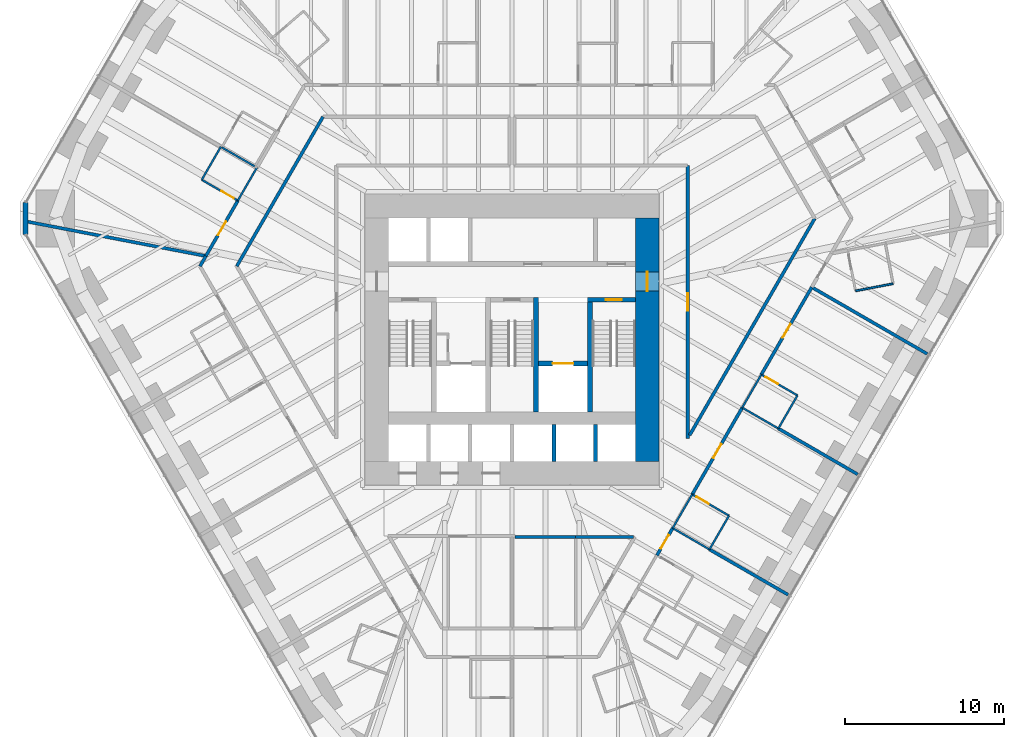
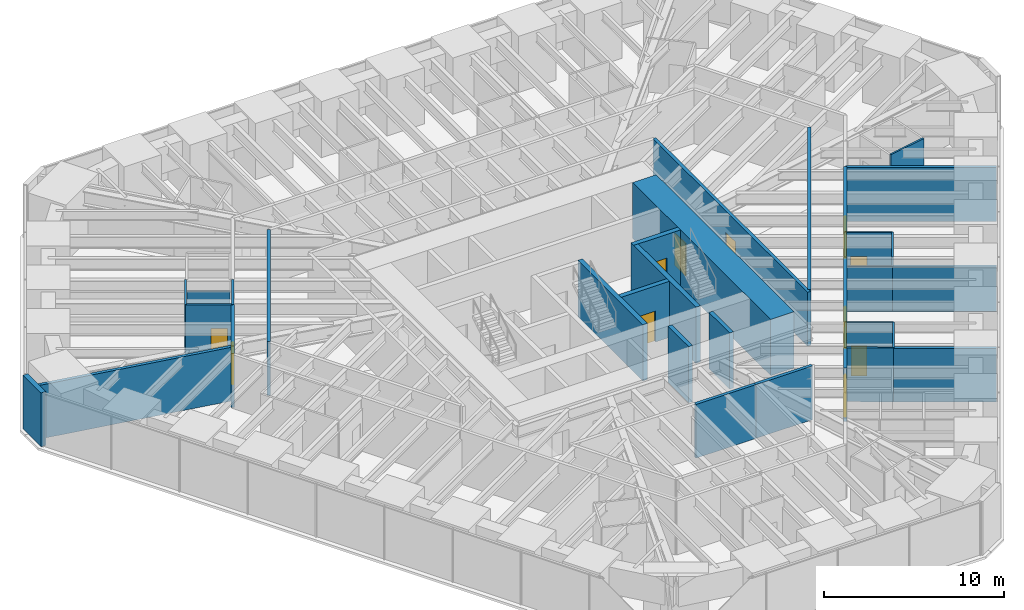
# One storey, part 13 of 17: 35 walls, 11 doors, 11 openings.
"""IFC4 building model written with IfcOpenShell, lengths in metres."""

from ifc_helpers import new_model, si_unit, direction, frame, frame_2d, origin, place, context, subcontext, project, spatial, rectangle, extrude, material, layer, layer_set, type_object, element, fill, save


model = new_model("IFC4")

# Units and contexts
model_context = context("Model", 3, precision=1e-05, world=origin(), true_north=direction((0.0, 1.0)))
body_context = subcontext(model_context, "Body", "Model", "MODEL_VIEW")
ifc_project = project(units=[si_unit("LENGTHUNIT", "METRE"), si_unit("AREAUNIT", "SQUARE_METRE"), si_unit("VOLUMEUNIT", "CUBIC_METRE"), si_unit("PLANEANGLEUNIT", "RADIAN"), si_unit("MASSUNIT", "GRAM", prefix="KILO")], contexts=[model_context])

# Site, building, storey
site_placement = place(None, origin())
site = spatial("IfcSite", under=ifc_project, at=site_placement, CompositionType="ELEMENT")
building_placement = place(site_placement, origin())
building = spatial("IfcBuilding", under=site, at=building_placement, Name="Sandreach Pilgrim Tower", CompositionType="ELEMENT")
storey_placement = place(building_placement, frame((0.0, 0.0, 38.199951171875)))
storey = spatial("IfcBuildingStorey", under=building, at=storey_placement, Name="L08", CompositionType="ELEMENT", Elevation=38.199951171875)

# Wall, opening, door
ifc_material_1 = material(Name="Moisture-resistant gypsum board on steel studs", Category="steel")
ifc_layer_1 = layer(ifc_material_1, 0.1201171875)
ifc_layer_set_1 = layer_set([ifc_layer_1], Name="Bathroom partition 120")
wall_type_1 = type_object("IfcWallType", Name="Bathroom partition 120", PredefinedType="PARTITIONING", material=ifc_layer_set_1)
wall_1_placement = place(storey_placement, frame((-19.5, 8.489990234375, 0.0), z_axis=(0.0, 0.0, 1.0), x_axis=(0.866114241029, -0.499846097802, 0.0)))
wall_1 = element("IfcWall", 1, at=wall_1_placement, inside=storey, type_object=wall_type_1, Name="Bathroom partition L08-009", PredefinedType="PARTITIONING", context=body_context, shape_type="SweptSolid", body=[
    extrude(rectangle(XDim=2.620849609375, YDim=0.1201171875, at=frame_2d((1.310546875, 0.0))), origin(), (0.0, 0.0, 1.0), 3.64013671875),
])
opening_1_placement = place(wall_1_placement, frame((1.4208984375, 0.0, 0.0)))
opening_1 = element("IfcOpeningElement", 2, at=opening_1_placement, cuts=wall_1, Name="Opening D09-18B", PredefinedType="OPENING", context=body_context, shape_type="SweptSolid", body=[
    extrude(rectangle(XDim=0.89990234375, YDim=2.030029296875, at=frame_2d((0.449951171875, 1.01513671875))), frame((0.0, 0.06005859375, 0.0), z_axis=(0.0, -1.0, 0.0), x_axis=(1.0, 0.0, 0.0)), (0.0, 0.0, 1.0), 0.1201171875),
])
ifc_material_2 = material(Name="Timber door, steel frame", Category="steel")
door_type_1 = type_object("IfcDoorType", Name="Bathroom door", OperationType="SINGLE_SWING_LEFT", PredefinedType="DOOR", material=ifc_material_2)
door_1_placement = place(opening_1_placement, origin())
door_1 = element("IfcDoor", 3, at=door_1_placement, inside=storey, type_object=door_type_1, Name="Door 0818B", OperationType="SINGLE_SWING_RIGHT", OverallHeight=2.030029296875, OverallWidth=0.89990234375, PredefinedType="DOOR", context=body_context, shape_type="SweptSolid", body=[
    extrude(rectangle(XDim=0.89990234375, YDim=2.030029296875, at=frame_2d((0.449951171875, 1.01513671875))), frame((0.0, 0.02490234375, 0.0), z_axis=(0.0, -1.0, 0.0), x_axis=(1.0, 0.0, 0.0)), (0.0, 0.0, 1.0), 0.050048828125),
])
fill(opening_1, door_1)

# Walls
wall_2_placement = place(storey_placement, frame((-18.300048828125, 10.570068359375, 0.0), z_axis=(0.0, 0.0, 1.0), x_axis=(-0.499693115345, -0.866202511239, 0.0)))
element("IfcWall", 4, at=wall_2_placement, inside=storey, type_object=wall_type_1, Name="Bathroom partition L08-013", PredefinedType="PARTITIONING", context=body_context, shape_type="SweptSolid", body=[
    extrude(rectangle(XDim=2.4013671875, YDim=0.1201171875, at=frame_2d((1.20068359375, 0.0))), origin(), (0.0, 0.0, 1.0), 3.64013671875),
])
wall_3_placement = place(storey_placement, frame((-18.239990234375, 10.530029296875, 0.0), z_axis=(0.0, 0.0, 1.0), x_axis=(0.866202511239, -0.499693115345, 0.0)))
element("IfcWall", 5, at=wall_3_placement, inside=storey, type_object=wall_type_1, Name="Bathroom partition L08-014", PredefinedType="PARTITIONING", context=body_context, shape_type="SweptSolid", body=[
    extrude(rectangle(XDim=2.4013671875, YDim=0.1201171875, at=frame_2d((1.20068359375, 0.0))), origin(), (0.0, 0.0, 1.0), 2.8603515625),
])
wall_4_placement = place(storey_placement, frame((-17.23388671875, 7.182373046875, 0.0), z_axis=(0.0, 0.0, 1.0), x_axis=(0.500719628902, 0.865609526999, 0.0)))
element("IfcWall", 6, at=wall_4_placement, inside=storey, type_object=wall_type_1, Name="Bathroom partition L08-018", PredefinedType="PARTITIONING", context=body_context, shape_type="SweptSolid", body=[
    extrude(rectangle(XDim=2.4013671875, YDim=0.1201171875, at=frame_2d((1.20068359375, 0.0))), origin(), (0.0, 0.0, 1.0), 3.64013671875),
])
wall_5_placement = place(storey_placement, frame((10.10009765625, -13.39990234375, 0.0), z_axis=(0.0, 0.0, 1.0), x_axis=(0.501856726365, 0.86495076519, 0.0)))
element("IfcWall", 7, at=wall_5_placement, inside=storey, type_object=wall_type_1, Name="Bathroom partition L08-101", PredefinedType="PARTITIONING", context=body_context, shape_type="SweptSolid", body=[
    extrude(rectangle(XDim=2.450927734375, YDim=0.1201171875, at=frame_2d((1.2255859375, 0.0))), origin(), (0.0, 0.0, 1.0), 3.64013671875),
])
wall_6_placement = place(storey_placement, frame((10.10009765625, -13.39990234375, 0.0), z_axis=(0.0, 0.0, 1.0), x_axis=(0.864966903181, -0.501828911485, 0.0)))
element("IfcWall", 8, at=wall_6_placement, inside=storey, type_object=wall_type_1, Name="Bathroom partition L08-102", PredefinedType="PARTITIONING", context=body_context, shape_type="SweptSolid", body=[
    extrude(rectangle(XDim=2.67041015625, YDim=0.1201171875, at=frame_2d((1.335205078125, 0.0))), origin(), (0.0, 0.0, 1.0), 3.64013671875),
])
wall_7_placement = place(storey_placement, frame((12.409912109375, -14.739990234375, 0.0), z_axis=(0.0, 0.0, 1.0), x_axis=(0.501813488763, 0.864975850817, 0.0)))
element("IfcWall", 9, at=wall_7_placement, inside=storey, type_object=wall_type_1, Name="Bathroom partition L08-111", PredefinedType="PARTITIONING", context=body_context, shape_type="SweptSolid", body=[
    extrude(rectangle(XDim=2.451171875, YDim=0.1201171875, at=frame_2d((1.2255859375, 0.0))), origin(), (0.0, 0.0, 1.0), 3.64013671875),
])

# Wall, opening, door
wall_8_placement = place(storey_placement, frame((13.639892578125, -12.6201171875, 0.0), z_axis=(0.0, 0.0, 1.0), x_axis=(-0.864966903181, 0.501828911485, 0.0)))
wall_8 = element("IfcWall", 10, at=wall_8_placement, inside=storey, type_object=wall_type_1, Name="Bathroom partition L08-116", PredefinedType="PARTITIONING", context=body_context, shape_type="SweptSolid", body=[
    extrude(rectangle(XDim=2.67041015625, YDim=0.1201171875, at=frame_2d((1.335205078125, 0.0))), origin(), (0.0, 0.0, 1.0), 3.64013671875),
])
opening_2_placement = place(wall_8_placement, frame((1.470458984375, 0.0, 0.0)))
opening_2 = element("IfcOpeningElement", 11, at=opening_2_placement, cuts=wall_8, Name="Opening D09-09B", PredefinedType="OPENING", context=body_context, shape_type="SweptSolid", body=[
    extrude(rectangle(XDim=0.89990234375, YDim=2.030029296875, at=frame_2d((0.449951171875, 1.01513671875))), frame((0.0, 0.06005859375, 0.0), z_axis=(0.0, -1.0, 0.0), x_axis=(1.0, 0.0, 0.0)), (0.0, 0.0, 1.0), 0.1201171875),
])
door_2_placement = place(opening_2_placement, origin())
door_2 = element("IfcDoor", 12, at=door_2_placement, inside=storey, type_object=door_type_1, Name="Door 0809B", OperationType="SINGLE_SWING_RIGHT", OverallHeight=2.030029296875, OverallWidth=0.89990234375, PredefinedType="DOOR", context=body_context, shape_type="SweptSolid", body=[
    extrude(rectangle(XDim=0.89990234375, YDim=2.030029296875, at=frame_2d((0.449951171875, 1.01513671875))), frame((0.0, 0.02490234375, 0.0), z_axis=(0.0, -1.0, 0.0), x_axis=(1.0, 0.0, 0.0)), (0.0, 0.0, 1.0), 0.050048828125),
])
fill(opening_2, door_2)

# Walls
wall_9_placement = place(storey_placement, frame((14.469970703125, -5.830078125, 0.0), z_axis=(0.0, 0.0, 1.0), x_axis=(0.499693115345, 0.866202511239, 0.0)))
element("IfcWall", 13, at=wall_9_placement, inside=storey, type_object=wall_type_1, Name="Bathroom partition L08-118", PredefinedType="PARTITIONING", context=body_context, shape_type="SweptSolid", body=[
    extrude(rectangle(XDim=2.4013671875, YDim=0.1201171875, at=frame_2d((1.20068359375, 0.0))), origin(), (0.0, 0.0, 1.0), 3.64013671875),
])
wall_10_placement = place(storey_placement, frame((14.469970703125, -5.830078125, 0.0), z_axis=(0.0, 0.0, 1.0), x_axis=(0.866010296064, -0.500026166427, 0.0)))
element("IfcWall", 14, at=wall_10_placement, inside=storey, type_object=wall_type_1, Name="Bathroom partition L08-119", PredefinedType="PARTITIONING", context=body_context, shape_type="SweptSolid", body=[
    extrude(rectangle(XDim=2.620849609375, YDim=0.1201171875, at=frame_2d((1.310546875, 0.0))), origin(), (0.0, 0.0, 1.0), 3.02294921875),
])
wall_11_placement = place(storey_placement, frame((16.739990234375, -7.139892578125, 0.0), z_axis=(0.0, 0.0, 1.0), x_axis=(0.499737123639, 0.866177122335, 0.0)))
element("IfcWall", 15, at=wall_11_placement, inside=storey, type_object=wall_type_1, Name="Bathroom partition L08-128", PredefinedType="PARTITIONING", context=body_context, shape_type="SweptSolid", body=[
    extrude(rectangle(XDim=2.401123046875, YDim=0.1201171875, at=frame_2d((1.20068359375, 0.0))), origin(), (0.0, 0.0, 1.0), 3.64013671875),
])

# Wall, opening, door
wall_12_placement = place(storey_placement, frame((17.93994140625, -5.06005859375, 0.0), z_axis=(0.0, 0.0, 1.0), x_axis=(-0.866114241029, 0.499846097802, 0.0)))
wall_12 = element("IfcWall", 16, at=wall_12_placement, inside=storey, type_object=wall_type_1, Name="Bathroom partition L08-131", PredefinedType="PARTITIONING", context=body_context, shape_type="SweptSolid", body=[
    extrude(rectangle(XDim=2.620849609375, YDim=0.1201171875, at=frame_2d((1.310546875, 0.0))), origin(), (0.0, 0.0, 1.0), 3.64013671875),
])
opening_3_placement = place(wall_12_placement, frame((1.4208984375, 0.0, 0.0)))
opening_3 = element("IfcOpeningElement", 17, at=opening_3_placement, cuts=wall_12, Name="Opening D09-08B", PredefinedType="OPENING", context=body_context, shape_type="SweptSolid", body=[
    extrude(rectangle(XDim=0.89990234375, YDim=2.030029296875, at=frame_2d((0.449951171875, 1.01513671875))), frame((0.0, 0.06005859375, 0.0), z_axis=(0.0, -1.0, 0.0), x_axis=(1.0, 0.0, 0.0)), (0.0, 0.0, 1.0), 0.1201171875),
])
door_3_placement = place(opening_3_placement, origin())
door_3 = element("IfcDoor", 18, at=door_3_placement, inside=storey, type_object=door_type_1, Name="Door 0808B", OperationType="SINGLE_SWING_RIGHT", OverallHeight=2.030029296875, OverallWidth=0.89990234375, PredefinedType="DOOR", context=body_context, shape_type="SweptSolid", body=[
    extrude(rectangle(XDim=0.89990234375, YDim=2.030029296875, at=frame_2d((0.449951171875, 1.01513671875))), frame((0.0, 0.02490234375, 0.0), z_axis=(0.0, -1.0, 0.0), x_axis=(1.0, 0.0, 0.0)), (0.0, 0.0, 1.0), 0.050048828125),
])
fill(opening_3, door_3)

# Walls
wall_13_placement = place(storey_placement, frame((21.590087890625, 1.510009765625, 0.0), z_axis=(0.0, 0.0, 1.0), x_axis=(0.982303859288, 0.187294228499, 0.0)))
element("IfcWall", 19, at=wall_13_placement, inside=storey, type_object=wall_type_1, Name="Bathroom partition L08-144", PredefinedType="PARTITIONING", context=body_context, shape_type="SweptSolid", body=[
    extrude(rectangle(XDim=2.40234375, YDim=0.1201171875, at=frame_2d((1.201171875, 0.0))), origin(), (0.0, 0.0, 1.0), 3.64013671875),
])
ifc_material_3 = material(Name="Concrete 10000 psi", Category="concrete")
ifc_layer_2 = layer(ifc_material_3, 0.300048828125)
ifc_layer_set_2 = layer_set([ifc_layer_2], Name="Core inner wall 300")
wall_type_2 = type_object("IfcWallType", Name="Core inner wall 300", PredefinedType="SHEAR", material=ifc_layer_set_2)
for number, where, z_axis, x_axis, name in (
    (20, (1.5, -6.10009765625, 0.0), (0.0, 0.0, 1.0), (0.0, 1.0, 0.0), "Core wall I2 L08"),
    (21, (4.89990234375, -6.10009765625, 0.0), (0.0, 0.0, 1.0), (0.0, 1.0, 0.0), "Core wall I3 L08"),
):
    element("IfcWall", number, at=place(storey_placement, frame(where, z_axis=z_axis, x_axis=x_axis)), inside=storey, type_object=wall_type_2, Name=name, PredefinedType="SHEAR", context=body_context, shape_type="SweptSolid", body=[
        extrude(rectangle(XDim=7.2001953125, YDim=0.300048828125, at=frame_2d((3.60009765625, 0.0))), origin(), (0.0, 0.0, 1.0), 3.800048828125),
    ])

# Wall, opening, door
wall_14_placement = place(storey_placement, frame((4.75, 0.949951171875, 0.0), z_axis=(0.0, 0.0, 1.0), x_axis=(1.0, 0.0, 0.0)))
wall_14 = element("IfcWall", 22, at=wall_14_placement, inside=storey, type_object=wall_type_2, Name="Core wall SN2 L08", PredefinedType="SHEAR", context=body_context, shape_type="SweptSolid", body=[
    extrude(rectangle(XDim=3.0, YDim=0.300048828125, at=frame_2d((1.5, 0.0))), origin(), (0.0, 0.0, 1.0), 3.800048828125),
])
opening_4_placement = place(wall_14_placement, frame((1.14990234375, 0.0, 0.0)))
opening_4 = element("IfcOpeningElement", 23, at=opening_4_placement, cuts=wall_14, Name="Opening D10S-ST2", PredefinedType="OPENING", context=body_context, shape_type="SweptSolid", body=[
    extrude(rectangle(XDim=1.0, YDim=2.199951171875, at=frame_2d((0.5, 1.10009765625))), frame((0.0, 0.14990234375, 0.0), z_axis=(0.0, -1.0, 0.0), x_axis=(1.0, 0.0, 0.0)), (0.0, 0.0, 1.0), 0.300048828125),
])
ifc_material_4 = material(Name="Steel door and frame", Category="steel")
door_type_2 = type_object("IfcDoorType", Name="Stair door", OperationType="SINGLE_SWING_LEFT", PredefinedType="DOOR", material=ifc_material_4)
door_4_placement = place(opening_4_placement, origin())
door_4 = element("IfcDoor", 24, at=door_4_placement, inside=storey, type_object=door_type_2, Name="Stair door ST2 L08", OperationType="SINGLE_SWING_RIGHT", OverallHeight=2.199951171875, OverallWidth=1.0, PredefinedType="DOOR", context=body_context, shape_type="SweptSolid", body=[
    extrude(rectangle(XDim=1.0, YDim=2.199951171875, at=frame_2d((0.5, 1.10009765625))), frame((0.0, 0.02490234375, 0.0), z_axis=(0.0, -1.0, 0.0), x_axis=(1.0, 0.0, 0.0)), (0.0, 0.0, 1.0), 0.050048828125),
])
fill(opening_4, door_4)

wall_15_placement = place(storey_placement, frame((1.64990234375, -3.050048828125, 0.0), z_axis=(0.0, 0.0, 1.0), x_axis=(1.0, 0.0, 0.0)))
wall_15 = element("IfcWall", 25, at=wall_15_placement, inside=storey, type_object=wall_type_2, Name="Core wall FL2 L08", PredefinedType="SHEAR", context=body_context, shape_type="SweptSolid", body=[
    extrude(rectangle(XDim=3.10009765625, YDim=0.300048828125, at=frame_2d((1.550048828125, 0.0))), origin(), (0.0, 0.0, 1.0), 3.800048828125),
])
opening_5_placement = place(wall_15_placement, frame((0.89990234375, 0.0, 0.0)))
opening_5 = element("IfcOpeningElement", 26, at=opening_5_placement, cuts=wall_15, Name="Opening LD13", PredefinedType="OPENING", context=body_context, shape_type="SweptSolid", body=[
    extrude(rectangle(XDim=1.300048828125, YDim=2.10009765625, at=frame_2d((0.64990234375, 1.050048828125))), frame((0.0, 0.14990234375, 0.0), z_axis=(0.0, -1.0, 0.0), x_axis=(1.0, 0.0, 0.0)), (0.0, 0.0, 1.0), 0.300048828125),
])
ifc_material_5 = material(Name="Steel door and frame", Category="steel")
door_type_3 = type_object("IfcDoorType", Name="Fire service lift landing door", OperationType="DOUBLE_DOOR_SLIDING", PredefinedType="DOOR", material=ifc_material_5)
door_5_placement = place(opening_5_placement, origin())
door_5 = element("IfcDoor", 27, at=door_5_placement, inside=storey, type_object=door_type_3, Name="Lift landing door FS2 L08", OperationType="DOUBLE_DOOR_SLIDING", OverallHeight=2.10009765625, OverallWidth=1.300048828125, PredefinedType="DOOR", context=body_context, shape_type="SweptSolid", body=[
    extrude(rectangle(XDim=1.300048828125, YDim=2.10009765625, at=frame_2d((0.64990234375, 1.050048828125))), frame((0.0, 0.02490234375, 0.0), z_axis=(0.0, -1.0, 0.0), x_axis=(1.0, 0.0, 0.0)), (0.0, 0.0, 1.0), 0.050048828125),
])
fill(opening_5, door_5)

ifc_material_6 = material(Name="Concrete 10000 psi", Category="concrete")
ifc_layer_3 = layer(ifc_material_6, 1.5)
ifc_layer_set_3 = layer_set([ifc_layer_3], Name="Core wall 1500")
wall_type_3 = type_object("IfcWallType", Name="Core wall 1500", PredefinedType="SHEAR", material=ifc_layer_set_3)
wall_16_placement = place(storey_placement, frame((8.5, -9.199951171875, 0.0), z_axis=(0.0, 0.0, 1.0), x_axis=(0.0, 1.0, 0.0)))
wall_16 = element("IfcWall", 28, at=wall_16_placement, inside=storey, type_object=wall_type_3, Name="Core wall E L08", PredefinedType="SHEAR", context=body_context, shape_type="SweptSolid", body=[
    extrude(rectangle(XDim=15.300048828125, YDim=1.5, at=frame_2d((7.64990234375, 0.0))), origin(), (0.0, 0.0, 1.0), 3.800048828125),
])
opening_6_placement = place(wall_16_placement, frame((10.699951171875, 0.0, 0.0)))
opening_6 = element("IfcOpeningElement", 29, at=opening_6_placement, cuts=wall_16, Name="Opening D12F-E", PredefinedType="OPENING", context=body_context, shape_type="SweptSolid", body=[
    extrude(rectangle(XDim=1.199951171875, YDim=2.199951171875, at=frame_2d((0.60009765625, 1.10009765625))), frame((0.0, 0.75, 0.0), z_axis=(0.0, -1.0, 0.0), x_axis=(1.0, 0.0, 0.0)), (0.0, 0.0, 1.0), 1.5),
])
ifc_material_7 = material(Name="Steel door and frame", Category="steel")
door_type_4 = type_object("IfcDoorType", Name="Fire lobby door", OperationType="SINGLE_SWING_LEFT", PredefinedType="DOOR", material=ifc_material_7)
door_6_placement = place(opening_6_placement, origin())
door_6 = element("IfcDoor", 30, at=door_6_placement, inside=storey, type_object=door_type_4, Name="Fire service lobby door E L08", OperationType="SINGLE_SWING_RIGHT", OverallHeight=2.199951171875, OverallWidth=1.199951171875, PredefinedType="DOOR", context=body_context, shape_type="SweptSolid", body=[
    extrude(rectangle(XDim=1.199951171875, YDim=2.199951171875, at=frame_2d((0.60009765625, 1.10009765625))), frame((0.0, 0.02490234375, 0.0), z_axis=(0.0, -1.0, 0.0), x_axis=(1.0, 0.0, 0.0)), (0.0, 0.0, 1.0), 0.050048828125),
])
fill(opening_6, door_6)

# Wall
ifc_material_8 = material(Name="Gypsum board on steel studs, two layers each side", Category="steel")
ifc_layer_4 = layer(ifc_material_8, 0.199951171875)
ifc_layer_set_4 = layer_set([ifc_layer_4], Name="Corridor wall 200")
wall_type_4 = type_object("IfcWallType", Name="Corridor wall 200", PredefinedType="PARTITIONING", material=ifc_layer_set_4)
wall_17_placement = place(storey_placement, frame((-19.610107421875, 3.06005859375, 0.0), z_axis=(0.0, 0.0, 1.0), x_axis=(0.50068472101, 0.865629718844, 0.0)))
element("IfcWall", 31, at=wall_17_placement, inside=storey, type_object=wall_type_4, Name="Corridor wall L08-006", PredefinedType="PARTITIONING", context=body_context, shape_type="SweptSolid", body=[
    extrude(rectangle(XDim=0.7392578125, YDim=0.199951171875, at=frame_2d((0.36962890625, 0.0))), origin(), (0.0, 0.0, 1.0), 3.64013671875),
])

# Wall, opening, door
wall_18_placement = place(storey_placement, frame((-19.239990234375, 3.699951171875, 0.0), z_axis=(0.0, 0.0, 1.0), x_axis=(0.500157149565, 0.865934654428, 0.0)))
wall_18 = element("IfcWall", 32, at=wall_18_placement, inside=storey, type_object=wall_type_4, Name="Corridor wall L08-010", PredefinedType="PARTITIONING", context=body_context, shape_type="SweptSolid", body=[
    extrude(rectangle(XDim=4.018798828125, YDim=0.199951171875, at=frame_2d((2.00927734375, 0.0))), origin(), (0.0, 0.0, 1.0), 3.64013671875),
])
opening_7_placement = place(wall_18_placement, frame((1.509521484375, 0.0, 0.0)))
opening_7 = element("IfcOpeningElement", 33, at=opening_7_placement, cuts=wall_18, Name="Opening D10-18", PredefinedType="OPENING", context=body_context, shape_type="SweptSolid", body=[
    extrude(rectangle(XDim=1.0, YDim=2.1298828125, at=frame_2d((0.5, 1.06494140625))), frame((0.0, 0.10009765625, 0.0), z_axis=(0.0, -1.0, 0.0), x_axis=(1.0, 0.0, 0.0)), (0.0, 0.0, 1.0), 0.199951171875),
])
ifc_material_9 = material(Name="Steel door and frame", Category="steel")
door_type_5 = type_object("IfcDoorType", Name="Guest room entry door", OperationType="SINGLE_SWING_LEFT", PredefinedType="DOOR", material=ifc_material_9)
door_7_placement = place(opening_7_placement, origin())
door_7 = element("IfcDoor", 34, at=door_7_placement, inside=storey, type_object=door_type_5, Name="Door 0818", OperationType="SINGLE_SWING_LEFT", OverallHeight=2.1298828125, OverallWidth=1.0, PredefinedType="DOOR", context=body_context, shape_type="SweptSolid", body=[
    extrude(rectangle(XDim=1.0, YDim=2.1298828125, at=frame_2d((0.5, 1.06494140625))), frame((0.0, 0.02490234375, 0.0), z_axis=(0.0, -1.0, 0.0), x_axis=(1.0, 0.0, 0.0)), (0.0, 0.0, 1.0), 0.050048828125),
])
fill(opening_7, door_7)

# Walls
wall_19_placement = place(storey_placement, frame((-17.300048828125, 3.06005859375, 0.0), z_axis=(0.0, 0.0, 1.0), x_axis=(0.499924528042, 0.866068973155, 0.0)))
element("IfcWall", 35, at=wall_19_placement, inside=storey, type_object=wall_type_4, Name="Corridor wall L08-017", PredefinedType="PARTITIONING", context=body_context, shape_type="SweptSolid", body=[
    extrude(rectangle(XDim=10.842041015625, YDim=0.199951171875, at=frame_2d((5.4208984375, 0.0))), origin(), (0.0, 0.0, 1.0), 3.64013671875),
])
wall_20_placement = place(storey_placement, frame((0.179931640625, -13.949951171875, 0.0), z_axis=(0.0, 0.0, 1.0), x_axis=(1.0, 0.0, 0.0)))
element("IfcWall", 36, at=wall_20_placement, inside=storey, type_object=wall_type_4, Name="Corridor wall L08-072", PredefinedType="PARTITIONING", context=body_context, shape_type="SweptSolid", body=[
    extrude(rectangle(XDim=3.820068359375, YDim=0.199951171875, at=frame_2d((1.91015625, 0.0))), origin(), (0.0, 0.0, 1.0), 3.64013671875),
])
wall_21_placement = place(storey_placement, frame((4.0, -13.949951171875, 0.0), z_axis=(0.0, 0.0, 1.0), x_axis=(1.0, 0.0, 0.0)))
element("IfcWall", 37, at=wall_21_placement, inside=storey, type_object=wall_type_4, Name="Corridor wall L08-076", PredefinedType="PARTITIONING", context=body_context, shape_type="SweptSolid", body=[
    extrude(rectangle(XDim=3.635009765625, YDim=0.199951171875, at=frame_2d((1.8173828125, 0.0))), origin(), (0.0, 0.0, 1.0), 3.64013671875),
])

# Wall, opening, door
wall_22_placement = place(storey_placement, frame((9.110107421875, -15.110107421875, 0.0), z_axis=(0.0, 0.0, 1.0), x_axis=(0.500987568213, 0.865454479737, 0.0)))
wall_22 = element("IfcWall", 38, at=wall_22_placement, inside=storey, type_object=wall_type_4, Name="Corridor wall L08-096", PredefinedType="PARTITIONING", context=body_context, shape_type="SweptSolid", body=[
    extrude(rectangle(XDim=1.97607421875, YDim=0.199951171875, at=frame_2d((0.988037109375, 0.0))), origin(), (0.0, 0.0, 1.0), 3.64013671875),
])
opening_8_placement = place(wall_22_placement, frame((0.488037109375, 0.0, 0.0)))
opening_8 = element("IfcOpeningElement", 39, at=opening_8_placement, cuts=wall_22, Name="Opening D10-10", PredefinedType="OPENING", context=body_context, shape_type="SweptSolid", body=[
    extrude(rectangle(XDim=1.0, YDim=2.1298828125, at=frame_2d((0.5, 1.06494140625))), frame((0.0, 0.10009765625, 0.0), z_axis=(0.0, -1.0, 0.0), x_axis=(1.0, 0.0, 0.0)), (0.0, 0.0, 1.0), 0.199951171875),
])
door_8_placement = place(opening_8_placement, origin())
door_8 = element("IfcDoor", 40, at=door_8_placement, inside=storey, type_object=door_type_5, Name="Door 0810", OperationType="SINGLE_SWING_LEFT", OverallHeight=2.1298828125, OverallWidth=1.0, PredefinedType="DOOR", context=body_context, shape_type="SweptSolid", body=[
    extrude(rectangle(XDim=1.0, YDim=2.1298828125, at=frame_2d((0.5, 1.06494140625))), frame((0.0, 0.02490234375, 0.0), z_axis=(0.0, -1.0, 0.0), x_axis=(1.0, 0.0, 0.0)), (0.0, 0.0, 1.0), 0.050048828125),
])
fill(opening_8, door_8)

wall_23_placement = place(storey_placement, frame((11.050048828125, -7.760009765625, 0.0), z_axis=(0.0, 0.0, 1.0), x_axis=(0.0, 1.0, 0.0)))
wall_23 = element("IfcWall", 41, at=wall_23_placement, inside=storey, type_object=wall_type_4, Name="Corridor wall L08-107", PredefinedType="PARTITIONING", context=body_context, shape_type="SweptSolid", body=[
    extrude(rectangle(XDim=17.159912109375, YDim=0.199951171875, at=frame_2d((8.580078125, 0.0))), origin(), (0.0, 0.0, 1.0), 3.64013671875),
])
opening_9_placement = place(wall_23_placement, frame((8.030029296875, 0.0, 0.0)))
opening_9 = element("IfcOpeningElement", 42, at=opening_9_placement, cuts=wall_23, Name="Opening D11H-M2", PredefinedType="OPENING", context=body_context, shape_type="SweptSolid", body=[
    extrude(rectangle(XDim=1.10009765625, YDim=2.199951171875, at=frame_2d((0.550048828125, 1.10009765625))), frame((0.0, 0.10009765625, 0.0), z_axis=(0.0, -1.0, 0.0), x_axis=(1.0, 0.0, 0.0)), (0.0, 0.0, 1.0), 0.199951171875),
])
ifc_material_10 = material(Name="Steel door and frame", Category="steel")
door_type_6 = type_object("IfcDoorType", Name="Back of house door", OperationType="SINGLE_SWING_LEFT", PredefinedType="DOOR", material=ifc_material_10)
door_9_placement = place(opening_9_placement, origin())
door_9 = element("IfcDoor", 43, at=door_9_placement, inside=storey, type_object=door_type_6, Name="Door 08M2", OperationType="SINGLE_SWING_LEFT", OverallHeight=2.199951171875, OverallWidth=1.10009765625, PredefinedType="DOOR", context=body_context, shape_type="SweptSolid", body=[
    extrude(rectangle(XDim=1.10009765625, YDim=2.199951171875, at=frame_2d((0.550048828125, 1.10009765625))), frame((0.0, 0.02490234375, 0.0), z_axis=(0.0, -1.0, 0.0), x_axis=(1.0, 0.0, 0.0)), (0.0, 0.0, 1.0), 0.050048828125),
])
fill(opening_9, door_9)

wall_24_placement = place(storey_placement, frame((11.330078125, -11.280029296875, 0.0), z_axis=(0.0, 0.0, 1.0), x_axis=(0.499208241022, 0.866482043724, 0.0)))
wall_24 = element("IfcWall", 44, at=wall_24_placement, inside=storey, type_object=wall_type_4, Name="Corridor wall L08-108", PredefinedType="PARTITIONING", context=body_context, shape_type="SweptSolid", body=[
    extrude(rectangle(XDim=6.289794921875, YDim=0.199951171875, at=frame_2d((3.14501953125, 0.0))), origin(), (0.0, 0.0, 1.0), 3.64013671875),
])
opening_10_placement = place(wall_24_placement, frame((2.64501953125, 0.0, 0.0)))
opening_10 = element("IfcOpeningElement", 45, at=opening_10_placement, cuts=wall_24, Name="Opening D10-09", PredefinedType="OPENING", context=body_context, shape_type="SweptSolid", body=[
    extrude(rectangle(XDim=1.0, YDim=2.1298828125, at=frame_2d((0.5, 1.06494140625))), frame((0.0, 0.10009765625, 0.0), z_axis=(0.0, -1.0, 0.0), x_axis=(1.0, 0.0, 0.0)), (0.0, 0.0, 1.0), 0.199951171875),
])
door_10_placement = place(opening_10_placement, origin())
door_10 = element("IfcDoor", 46, at=door_10_placement, inside=storey, type_object=door_type_5, Name="Door 0809", OperationType="SINGLE_SWING_LEFT", OverallHeight=2.1298828125, OverallWidth=1.0, PredefinedType="DOOR", context=body_context, shape_type="SweptSolid", body=[
    extrude(rectangle(XDim=1.0, YDim=2.1298828125, at=frame_2d((0.5, 1.06494140625))), frame((0.0, 0.02490234375, 0.0), z_axis=(0.0, -1.0, 0.0), x_axis=(1.0, 0.0, 0.0)), (0.0, 0.0, 1.0), 0.050048828125),
])
fill(opening_10, door_10)

wall_25_placement = place(storey_placement, frame((15.669921875, -3.75, 0.0), z_axis=(0.0, 0.0, 1.0), x_axis=(0.500061360627, 0.865989974311, 0.0)))
wall_25 = element("IfcWall", 47, at=wall_25_placement, inside=storey, type_object=wall_type_4, Name="Corridor wall L08-122", PredefinedType="PARTITIONING", context=body_context, shape_type="SweptSolid", body=[
    extrude(rectangle(XDim=6.339599609375, YDim=0.199951171875, at=frame_2d((3.169921875, 0.0))), origin(), (0.0, 0.0, 1.0), 3.64013671875),
])
opening_11_placement = place(wall_25_placement, frame((2.669921875, 0.0, 0.0)))
opening_11 = element("IfcOpeningElement", 48, at=opening_11_placement, cuts=wall_25, Name="Opening D10-08", PredefinedType="OPENING", context=body_context, shape_type="SweptSolid", body=[
    extrude(rectangle(XDim=1.0, YDim=2.1298828125, at=frame_2d((0.5, 1.06494140625))), frame((0.0, 0.10009765625, 0.0), z_axis=(0.0, -1.0, 0.0), x_axis=(1.0, 0.0, 0.0)), (0.0, 0.0, 1.0), 0.199951171875),
])
door_11_placement = place(opening_11_placement, origin())
door_11 = element("IfcDoor", 49, at=door_11_placement, inside=storey, type_object=door_type_5, Name="Door 0808", OperationType="SINGLE_SWING_LEFT", OverallHeight=2.1298828125, OverallWidth=1.0, PredefinedType="DOOR", context=body_context, shape_type="SweptSolid", body=[
    extrude(rectangle(XDim=1.0, YDim=2.1298828125, at=frame_2d((0.5, 1.06494140625))), frame((0.0, 0.02490234375, 0.0), z_axis=(0.0, -1.0, 0.0), x_axis=(1.0, 0.0, 0.0)), (0.0, 0.0, 1.0), 0.050048828125),
])
fill(opening_11, door_11)

# Walls
wall_26_placement = place(storey_placement, frame((19.030029296875, 6.06005859375, 0.0), z_axis=(0.0, 0.0, 1.0), x_axis=(-0.500049636372, -0.865996744315, 0.0)))
element("IfcWall", 50, at=wall_26_placement, inside=storey, type_object=wall_type_4, Name="Corridor wall L08-137", PredefinedType="PARTITIONING", context=body_context, shape_type="SweptSolid", body=[
    extrude(rectangle(XDim=15.73876953125, YDim=0.199951171875, at=frame_2d((7.869384765625, 0.0))), origin(), (0.0, 0.0, 1.0), 3.64013671875),
])
ifc_material_11 = material(Name="Double steel stud acoustic wall, gypsum board", Category="steel")
ifc_layer_5 = layer(ifc_material_11, 0.199951171875)
ifc_layer_set_5 = layer_set([ifc_layer_5], Name="Party wall 200")
wall_type_5 = type_object("IfcWallType", Name="Party wall 200", PredefinedType="PARTITIONING", material=ifc_layer_set_5)
wall_27_placement = place(storey_placement, frame((-30.590576171875, 5.88427734375, 0.0), z_axis=(0.0, 0.0, 1.0), x_axis=(0.981983289605, -0.188967772219, 0.0)))
element("IfcWall", 51, at=wall_27_placement, inside=storey, type_object=wall_type_5, Name="Party wall L08-001", PredefinedType="PARTITIONING", context=body_context, shape_type="SweptSolid", body=[
    extrude(rectangle(XDim=11.5087890625, YDim=0.199951171875, at=frame_2d((5.75439453125, 0.0))), origin(), (0.0, 0.0, 1.0), 3.64013671875),
])
wall_28_placement = place(storey_placement, frame((16.73974609375, -7.140625, 0.0), z_axis=(0.0, 0.0, 1.0), x_axis=(0.865985044037, -0.500069898618, 0.0)))
element("IfcWall", 52, at=wall_28_placement, inside=storey, type_object=wall_type_5, Name="Party wall L08-127", PredefinedType="PARTITIONING", context=body_context, shape_type="SweptSolid", body=[
    extrude(rectangle(XDim=5.758056640625, YDim=0.199951171875, at=frame_2d((2.87890625, 0.0))), origin(), (0.0, 0.0, 1.0), 3.02294921875),
])
wall_29_placement = place(storey_placement, frame((17.35595703125, -17.590087890625, 0.0), z_axis=(0.0, 0.0, 1.0), x_axis=(-0.866442508333, 0.499276856818, 0.0)))
element("IfcWall", 53, at=wall_29_placement, inside=storey, type_object=wall_type_5, Name="Party wall L08-129", PredefinedType="PARTITIONING", context=body_context, shape_type="SweptSolid", body=[
    extrude(rectangle(XDim=5.70849609375, YDim=0.199951171875, at=frame_2d((2.854248046875, 0.0))), origin(), (0.0, 0.0, 1.0), 3.64013671875),
])
wall_30_placement = place(storey_placement, frame((26.09619140625, -2.449951171875, 0.0), z_axis=(0.0, 0.0, 1.0), x_axis=(-0.866002919298, 0.500038942252, 0.0)))
element("IfcWall", 54, at=wall_30_placement, inside=storey, type_object=wall_type_5, Name="Party wall L08-148", PredefinedType="PARTITIONING", context=body_context, shape_type="SweptSolid", body=[
    extrude(rectangle(XDim=8.368896484375, YDim=0.199951171875, at=frame_2d((4.1845703125, 0.0))), origin(), (0.0, 0.0, 1.0), 3.64013671875),
])
ifc_material_12 = material(Name="Gypsum shaft wall on steel studs, two layers of shaft liner board", Category="steel")
ifc_layer_6 = layer(ifc_material_12, 0.25)
ifc_layer_set_6 = layer_set([ifc_layer_6], Name="Shaft partition 250")
wall_type_6 = type_object("IfcWallType", Name="Shaft partition 250", PredefinedType="PARTITIONING", material=ifc_layer_set_6)
for number, where, z_axis, x_axis, name in (
    (55, (2.625, -9.199951171875, 0.0), (0.0, 0.0, 1.0), (0.0, 1.0, 0.0), "Shaft partition XS3 L08"),
    (56, (5.25, -9.199951171875, 0.0), (0.0, 0.0, 1.0), (0.0, 1.0, 0.0), "Shaft partition XS4 L08"),
):
    element("IfcWall", number, at=place(storey_placement, frame(where, z_axis=z_axis, x_axis=x_axis)), inside=storey, type_object=wall_type_6, Name=name, PredefinedType="PARTITIONING", context=body_context, shape_type="SweptSolid", body=[
        extrude(rectangle(XDim=2.300048828125, YDim=0.25, at=frame_2d((1.14990234375, 0.0))), origin(), (0.0, 0.0, 1.0), 3.800048828125),
    ])
ifc_material_13 = material(Name="Terracotta rainscreen on concrete", Category="masonry")
ifc_layer_7 = layer(ifc_material_13, 0.300048828125)
ifc_layer_set_7 = layer_set([ifc_layer_7], Name="Terracotta chamfer pier")
wall_type_7 = type_object("IfcWallType", Name="Terracotta chamfer pier", PredefinedType="SOLIDWALL", material=ifc_layer_set_7)
wall_31_placement = place(storey_placement, frame((-30.576171875, 5.062255859375, 0.0), z_axis=(0.0, 0.0, 1.0), x_axis=(0.0, 1.0, 0.0)))
element("IfcWall", 57, at=wall_31_placement, inside=storey, type_object=wall_type_7, Name="Chamfer pier L08 SW", PredefinedType="SOLIDWALL", context=body_context, shape_type="SweptSolid", body=[
    extrude(rectangle(XDim=2.0, YDim=0.300048828125, at=frame_2d((1.0, 0.0))), origin(), (0.0, 0.0, 1.0), 3.64013671875),
])

save(model, "model.ifc")
